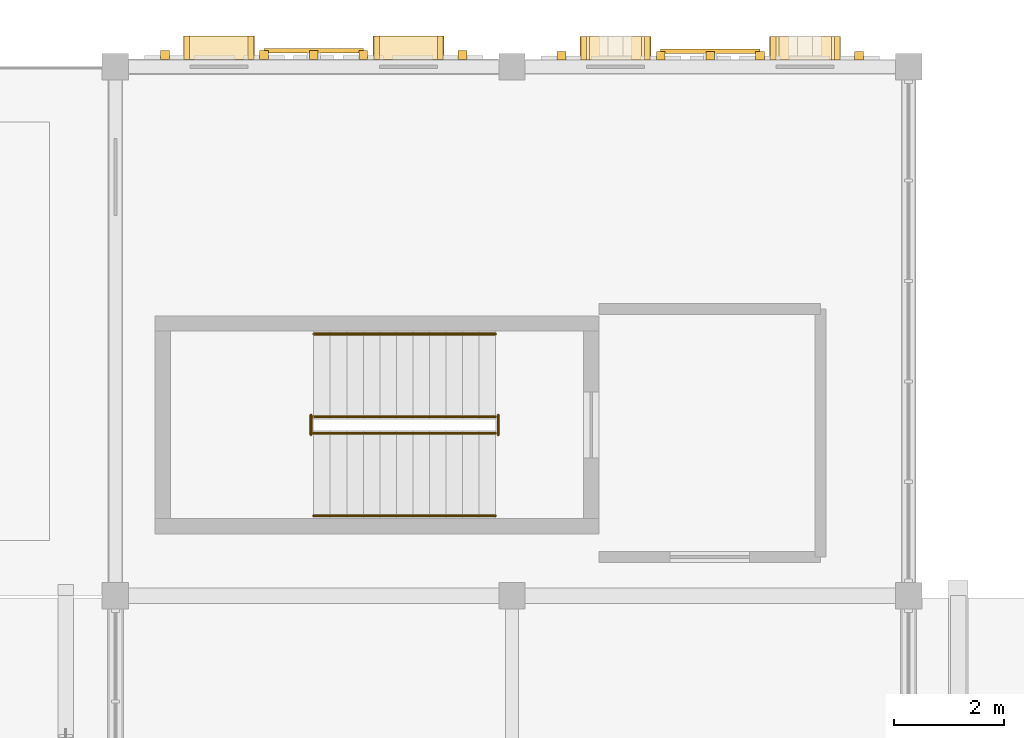
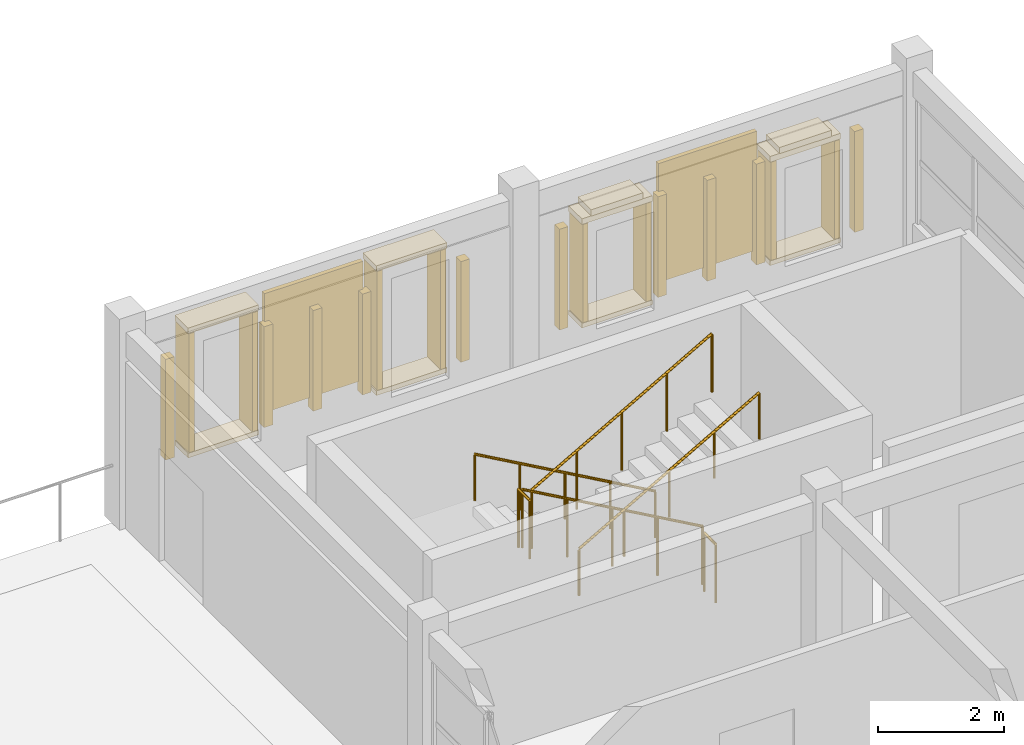
# One storey, part 70 of 79: 28 coverings, 6 railings, 2 shading devices.
"""IFC4 building model written with IfcOpenShell, lengths in metres."""

from ifc_helpers import new_model, si_unit, direction, frame, origin, origin_2d, place, context, subcontext, project, spatial, rectangle, circle, extrude, material, layer, layer_set, type_object, element, save


model = new_model("IFC4")

# Units and contexts
model_context = context("Model", 3, precision=1e-05, world=origin(), true_north=direction((0.0, 1.0)))
body_context = subcontext(model_context, "Body", "Model", "MODEL_VIEW")
ifc_project = project(units=[si_unit("LENGTHUNIT", "METRE"), si_unit("AREAUNIT", "SQUARE_METRE"), si_unit("VOLUMEUNIT", "CUBIC_METRE"), si_unit("PLANEANGLEUNIT", "RADIAN"), si_unit("MASSUNIT", "GRAM", prefix="KILO")], contexts=[model_context])

# Site, building, storey
site_placement = place(None, origin())
site = spatial("IfcSite", under=ifc_project, at=site_placement, CompositionType="ELEMENT")
building_placement = place(site_placement, origin())
building = spatial("IfcBuilding", under=site, at=building_placement, Name="Nzembalo Square Collegiate School", CompositionType="ELEMENT")
storey_placement = place(building_placement, frame((0.0, 0.0, 9.52001953125)))
storey = spatial("IfcBuildingStorey", under=building, at=storey_placement, Name="L02", CompositionType="ELEMENT", Elevation=9.52001953125)

# Coverings
ifc_material_1 = material(Name="Glazed ochre ceramic lancet rib")
ifc_layer_1 = layer(ifc_material_1, 0.159912109375, Name="Glazed ochre ceramic lancet rib")
ifc_layer_set_1 = layer_set([ifc_layer_1], Name="Glazed ochre ceramic lancet rib")
covering_type_1 = type_object("IfcCoveringType", Name="CL02", PredefinedType="CLADDING", material=ifc_layer_set_1)
for number, where, z_axis, x_axis, name in (
    (1, (77.699951171875, 114.21240234375, 0.759765625), (0.0, 0.0, 1.0), (1.0, 0.0, 0.0), "Gothic ceramic rib CL02-X0196-0"),
    (2, (79.5, 114.21240234375, 0.759765625), (0.0, 0.0, 1.0), (1.0, 0.0, 0.0), "Gothic ceramic rib CL02-X0196-2"),
    (3, (80.39990234375, 114.21240234375, 0.759765625), (0.0, 0.0, 1.0), (1.0, 0.0, 0.0), "Gothic ceramic rib CL02-X0196-3"),
    (4, (81.300048828125, 114.21240234375, 0.759765625), (0.0, 0.0, 1.0), (1.0, 0.0, 0.0), "Gothic ceramic rib CL02-X0196-4"),
    (5, (83.10009765625, 114.21240234375, 0.759765625), (0.0, 0.0, 1.0), (1.0, 0.0, 0.0), "Gothic ceramic rib CL02-X0196-6"),
    (6, (84.89990234375, 114.202392578125, 0.759765625), (0.0, 0.0, 1.0), (1.0, 0.0, 0.0), "Gothic ceramic rib CL02-X0197-0"),
    (7, (86.699951171875, 114.202392578125, 0.759765625), (0.0, 0.0, 1.0), (1.0, 0.0, 0.0), "Gothic ceramic rib CL02-X0197-2"),
    (8, (87.60009765625, 114.202392578125, 0.759765625), (0.0, 0.0, 1.0), (1.0, 0.0, 0.0), "Gothic ceramic rib CL02-X0197-3"),
    (9, (88.5, 114.202392578125, 0.759765625), (0.0, 0.0, 1.0), (1.0, 0.0, 0.0), "Gothic ceramic rib CL02-X0197-4"),
    (10, (90.300048828125, 114.202392578125, 0.759765625), (0.0, 0.0, 1.0), (1.0, 0.0, 0.0), "Gothic ceramic rib CL02-X0197-6"),
):
    element("IfcCovering", number, at=place(storey_placement, frame(where, z_axis=z_axis, x_axis=x_axis)), inside=storey, type_object=covering_type_1, Name=name, PredefinedType="CLADDING", context=body_context, shape_type="SweptSolid", body=[
        extrude(rectangle(XDim=0.159912109375, YDim=0.159912109375, at=origin_2d()), origin(), (0.0, 0.0, 1.0), 1.948974609375),
    ])
ifc_material_2 = material(Name="Glazed celadon ceramic window frame")
ifc_layer_2 = layer(ifc_material_2, 0.419921875, Name="Glazed celadon ceramic window frame")
ifc_layer_set_2 = layer_set([ifc_layer_2], Name="Glazed celadon ceramic window frame")
covering_type_2 = type_object("IfcCoveringType", Name="WF01", PredefinedType="CLADDING", material=ifc_layer_set_2)
covering_1_placement = place(storey_placement, frame((78.678466796875, 114.347412109375, 3.0546875), z_axis=(0.0, 0.0, 1.0), x_axis=(1.0, 0.0, 0.0)))
element("IfcCovering", 11, at=covering_1_placement, inside=storey, type_object=covering_type_2, Name="Deep lancet window hood WF01-0528", PredefinedType="CLADDING", context=body_context, shape_type="SweptSolid", body=[
    extrude(rectangle(XDim=1.2900390625, YDim=0.419921875, at=origin_2d()), origin(), (0.0, 0.0, 1.0), 0.110107421875),
])
covering_2_placement = place(storey_placement, frame((78.678466796875, 114.347412109375, 0.65478515625), z_axis=(0.0, 0.0, 1.0), x_axis=(1.0, 0.0, 0.0)))
element("IfcCovering", 12, at=covering_2_placement, inside=storey, type_object=covering_type_2, Name="Deep lancet window sill WF01-0528", PredefinedType="CLADDING", context=body_context, shape_type="SweptSolid", body=[
    extrude(rectangle(XDim=1.2900390625, YDim=0.419921875, at=origin_2d()), origin(), (0.0, 0.0, 1.0), 0.090087890625),
])
for number, where, z_axis, x_axis, name in (
    (13, (78.098388671875, 114.347412109375, 0.75), (0.0, 0.0, 1.0), (1.0, 0.0, 0.0), "Deep lancet window jamb WF01-0528L"),
    (14, (79.258544921875, 114.347412109375, 0.75), (0.0, 0.0, 1.0), (1.0, 0.0, 0.0), "Deep lancet window jamb WF01-0528R"),
):
    element("IfcCovering", number, at=place(storey_placement, frame(where, z_axis=z_axis, x_axis=x_axis)), inside=storey, type_object=covering_type_2, Name=name, PredefinedType="CLADDING", context=body_context, shape_type="SweptSolid", body=[
        extrude(rectangle(XDim=0.10009765625, YDim=0.419921875, at=origin_2d()), origin(), (0.0, 0.0, 1.0), 2.300048828125),
    ])
covering_3_placement = place(storey_placement, frame((82.12158203125, 114.347412109375, 3.0546875), z_axis=(0.0, 0.0, 1.0), x_axis=(1.0, 0.0, 0.0)))
element("IfcCovering", 15, at=covering_3_placement, inside=storey, type_object=covering_type_2, Name="Deep lancet window hood WF01-0529", PredefinedType="CLADDING", context=body_context, shape_type="SweptSolid", body=[
    extrude(rectangle(XDim=1.2900390625, YDim=0.419921875, at=origin_2d()), origin(), (0.0, 0.0, 1.0), 0.110107421875),
])
covering_4_placement = place(storey_placement, frame((82.12158203125, 114.347412109375, 0.65478515625), z_axis=(0.0, 0.0, 1.0), x_axis=(1.0, 0.0, 0.0)))
element("IfcCovering", 16, at=covering_4_placement, inside=storey, type_object=covering_type_2, Name="Deep lancet window sill WF01-0529", PredefinedType="CLADDING", context=body_context, shape_type="SweptSolid", body=[
    extrude(rectangle(XDim=1.2900390625, YDim=0.419921875, at=origin_2d()), origin(), (0.0, 0.0, 1.0), 0.090087890625),
])
for number, where, z_axis, x_axis, name in (
    (17, (81.54150390625, 114.347412109375, 0.75), (0.0, 0.0, 1.0), (1.0, 0.0, 0.0), "Deep lancet window jamb WF01-0529L"),
    (18, (82.701416015625, 114.347412109375, 0.75), (0.0, 0.0, 1.0), (1.0, 0.0, 0.0), "Deep lancet window jamb WF01-0529R"),
):
    element("IfcCovering", number, at=place(storey_placement, frame(where, z_axis=z_axis, x_axis=x_axis)), inside=storey, type_object=covering_type_2, Name=name, PredefinedType="CLADDING", context=body_context, shape_type="SweptSolid", body=[
        extrude(rectangle(XDim=0.10009765625, YDim=0.419921875, at=origin_2d()), origin(), (0.0, 0.0, 1.0), 2.300048828125),
    ])
covering_5_placement = place(storey_placement, frame((85.87841796875, 114.33740234375, 2.65478515625), z_axis=(0.0, 0.0, 1.0), x_axis=(1.0, 0.0, 0.0)))
element("IfcCovering", 19, at=covering_5_placement, inside=storey, type_object=covering_type_2, Name="Deep lancet window hood WF01-0530", PredefinedType="CLADDING", context=body_context, shape_type="SweptSolid", body=[
    extrude(rectangle(XDim=1.2900390625, YDim=0.419921875, at=origin_2d()), origin(), (0.0, 0.0, 1.0), 0.110107421875),
])
covering_6_placement = place(storey_placement, frame((85.87841796875, 114.33740234375, 2.760009765625), z_axis=(0.0, 0.0, 1.0), x_axis=(1.0, 0.0, 0.0)))
element("IfcCovering", 20, at=covering_6_placement, inside=storey, type_object=covering_type_2, Name="Pointed lancet gable WF01-0530-1", PredefinedType="CLADDING", context=body_context, shape_type="SweptSolid", body=[
    extrude(rectangle(XDim=0.949951171875, YDim=0.419921875, at=origin_2d()), origin(), (0.0, 0.0, 1.0), 0.1201171875),
])
covering_7_placement = place(storey_placement, frame((85.87841796875, 114.33740234375, 0.65478515625), z_axis=(0.0, 0.0, 1.0), x_axis=(1.0, 0.0, 0.0)))
element("IfcCovering", 21, at=covering_7_placement, inside=storey, type_object=covering_type_2, Name="Deep lancet window sill WF01-0530", PredefinedType="CLADDING", context=body_context, shape_type="SweptSolid", body=[
    extrude(rectangle(XDim=1.2900390625, YDim=0.419921875, at=origin_2d()), origin(), (0.0, 0.0, 1.0), 0.090087890625),
])
for number, where, z_axis, x_axis, name in (
    (22, (85.298583984375, 114.33740234375, 0.75), (0.0, 0.0, 1.0), (1.0, 0.0, 0.0), "Deep lancet window jamb WF01-0530L"),
    (23, (86.45849609375, 114.33740234375, 0.75), (0.0, 0.0, 1.0), (1.0, 0.0, 0.0), "Deep lancet window jamb WF01-0530R"),
):
    element("IfcCovering", number, at=place(storey_placement, frame(where, z_axis=z_axis, x_axis=x_axis)), inside=storey, type_object=covering_type_2, Name=name, PredefinedType="CLADDING", context=body_context, shape_type="SweptSolid", body=[
        extrude(rectangle(XDim=0.10009765625, YDim=0.419921875, at=origin_2d()), origin(), (0.0, 0.0, 1.0), 1.89990234375),
    ])
covering_8_placement = place(storey_placement, frame((89.321533203125, 114.33740234375, 2.65478515625), z_axis=(0.0, 0.0, 1.0), x_axis=(1.0, 0.0, 0.0)))
element("IfcCovering", 24, at=covering_8_placement, inside=storey, type_object=covering_type_2, Name="Deep lancet window hood WF01-0531", PredefinedType="CLADDING", context=body_context, shape_type="SweptSolid", body=[
    extrude(rectangle(XDim=1.2900390625, YDim=0.419921875, at=origin_2d()), origin(), (0.0, 0.0, 1.0), 0.110107421875),
])
covering_9_placement = place(storey_placement, frame((89.321533203125, 114.33740234375, 2.760009765625), z_axis=(0.0, 0.0, 1.0), x_axis=(1.0, 0.0, 0.0)))
element("IfcCovering", 25, at=covering_9_placement, inside=storey, type_object=covering_type_2, Name="Pointed lancet gable WF01-0531-1", PredefinedType="CLADDING", context=body_context, shape_type="SweptSolid", body=[
    extrude(rectangle(XDim=0.949951171875, YDim=0.419921875, at=origin_2d()), origin(), (0.0, 0.0, 1.0), 0.1201171875),
])
covering_10_placement = place(storey_placement, frame((89.321533203125, 114.33740234375, 0.65478515625), z_axis=(0.0, 0.0, 1.0), x_axis=(1.0, 0.0, 0.0)))
element("IfcCovering", 26, at=covering_10_placement, inside=storey, type_object=covering_type_2, Name="Deep lancet window sill WF01-0531", PredefinedType="CLADDING", context=body_context, shape_type="SweptSolid", body=[
    extrude(rectangle(XDim=1.2900390625, YDim=0.419921875, at=origin_2d()), origin(), (0.0, 0.0, 1.0), 0.090087890625),
])
for number, where, z_axis, x_axis, name in (
    (27, (88.741455078125, 114.33740234375, 0.75), (0.0, 0.0, 1.0), (1.0, 0.0, 0.0), "Deep lancet window jamb WF01-0531L"),
    (28, (89.901611328125, 114.33740234375, 0.75), (0.0, 0.0, 1.0), (1.0, 0.0, 0.0), "Deep lancet window jamb WF01-0531R"),
):
    element("IfcCovering", number, at=place(storey_placement, frame(where, z_axis=z_axis, x_axis=x_axis)), inside=storey, type_object=covering_type_2, Name=name, PredefinedType="CLADDING", context=body_context, shape_type="SweptSolid", body=[
        extrude(rectangle(XDim=0.10009765625, YDim=0.419921875, at=origin_2d()), origin(), (0.0, 0.0, 1.0), 1.89990234375),
    ])

# Railings
ifc_material_3 = material(Name="Steel S355", Category="steel")
railing_type_1 = type_object("IfcRailingType", Name="GR01", PredefinedType="GUARDRAIL", material=ifc_material_3)
railing_1_placement = place(storey_placement, frame((83.699951171875, 107.64990234375, 0.159912109375)))
element("IfcRailing", 29, at=railing_1_placement, inside=storey, type_object=railing_type_1, Name="Stair guard GR-12-1", PredefinedType="GUARDRAIL", context=body_context, shape_type="SweptSolid", body=[
    extrude(circle(Radius=0.02392578125, at=origin_2d()), frame((0.0, 0.0, 1.1259765625), z_axis=(-0.870012062771, 0.0, 0.493030435808), x_axis=(0.0, -1.0, 0.0)), (0.0, 0.0, 1.0), 3.793212890625),
    extrude(circle(Radius=0.02099609375, at=origin_2d()), origin(), (0.0, 0.0, 1.0), 1.101806640625),
    extrude(circle(Radius=0.02099609375, at=origin_2d()), frame((-0.824951171875, 0.0, 0.467529296875)), (0.0, 0.0, 1.0), 1.101806640625),
    extrude(circle(Radius=0.02099609375, at=origin_2d()), frame((-1.64990234375, 0.0, 0.93505859375)), (0.0, 0.0, 1.0), 1.101806640625),
    extrude(circle(Radius=0.02099609375, at=origin_2d()), frame((-2.47509765625, 0.0, 1.402587890625)), (0.0, 0.0, 1.0), 1.101806640625),
    extrude(circle(Radius=0.02099609375, at=origin_2d()), frame((-3.300048828125, 0.0, 1.8701171875)), (0.0, 0.0, 1.0), 1.101806640625),
])
railing_2_placement = place(storey_placement, frame((80.35009765625, 107.320068359375, 2.034912109375)))
element("IfcRailing", 30, at=railing_2_placement, inside=storey, type_object=railing_type_1, Name="Stair guard GR-12-2", PredefinedType="GUARDRAIL", context=body_context, shape_type="SweptSolid", body=[
    extrude(circle(Radius=0.02392578125, at=origin_2d()), frame((0.0, 0.0, 1.1259765625), z_axis=(0.0, 1.0, 0.0), x_axis=(-1.0, 0.0, 0.0)), (0.0, 0.0, 1.0), 0.35986328125),
    extrude(circle(Radius=0.02099609375, at=origin_2d()), origin(), (0.0, 0.0, 1.0), 1.101806640625),
    extrude(circle(Radius=0.02099609375, at=origin_2d()), frame((0.0, 0.35986328125, 0.0)), (0.0, 0.0, 1.0), 1.101806640625),
])
railing_3_placement = place(storey_placement, frame((80.39990234375, 107.35009765625, 2.199951171875)))
element("IfcRailing", 31, at=railing_3_placement, inside=storey, type_object=railing_type_1, Name="Stair guard GR-12-3", PredefinedType="GUARDRAIL", context=body_context, shape_type="SweptSolid", body=[
    extrude(circle(Radius=0.02392578125, at=origin_2d()), frame((0.0, 0.0, 1.1259765625), z_axis=(0.870012062771, 0.0, 0.493030435808), x_axis=(0.0, 1.0, 0.0)), (0.0, 0.0, 1.0), 3.793212890625),
    extrude(circle(Radius=0.02099609375, at=origin_2d()), origin(), (0.0, 0.0, 1.0), 1.101806640625),
    extrude(circle(Radius=0.02099609375, at=origin_2d()), frame((0.824951171875, 0.0, 0.467529296875)), (0.0, 0.0, 1.0), 1.101806640625),
    extrude(circle(Radius=0.02099609375, at=origin_2d()), frame((1.64990234375, 0.0, 0.93505859375)), (0.0, 0.0, 1.0), 1.101806640625),
    extrude(circle(Radius=0.02099609375, at=origin_2d()), frame((2.47509765625, 0.0, 1.402587890625)), (0.0, 0.0, 1.0), 1.101806640625),
    extrude(circle(Radius=0.02099609375, at=origin_2d()), frame((3.300048828125, 0.0, 1.8701171875)), (0.0, 0.0, 1.0), 1.101806640625),
])
railing_4_placement = place(storey_placement, frame((83.75, 107.320068359375, -0.005126953125)))
element("IfcRailing", 32, at=railing_4_placement, inside=storey, type_object=railing_type_1, Name="Stair guard GR-12-4", PredefinedType="GUARDRAIL", context=body_context, shape_type="SweptSolid", body=[
    extrude(circle(Radius=0.02392578125, at=origin_2d()), frame((0.0, 0.0, 1.1259765625), z_axis=(0.0, 1.0, 0.0), x_axis=(-1.0, 0.0, 0.0)), (0.0, 0.0, 1.0), 0.35986328125),
    extrude(circle(Radius=0.02099609375, at=origin_2d()), origin(), (0.0, 0.0, 1.0), 1.101806640625),
    extrude(circle(Radius=0.02099609375, at=origin_2d()), frame((0.0, 0.35986328125, 0.0)), (0.0, 0.0, 1.0), 1.101806640625),
])
ifc_material_4 = material(Name="Steel S355", Category="steel")
railing_type_2 = type_object("IfcRailingType", Name="HR01", PredefinedType="HANDRAIL", material=ifc_material_4)
railing_5_placement = place(storey_placement, frame((83.699951171875, 109.14990234375, 0.159912109375)))
element("IfcRailing", 33, at=railing_5_placement, inside=storey, type_object=railing_type_2, Name="Stair handrail HR-12-1", PredefinedType="HANDRAIL", context=body_context, shape_type="SweptSolid", body=[
    extrude(circle(Radius=0.02392578125, at=origin_2d()), frame((0.0, 0.0, 0.89599609375), z_axis=(-0.870012062771, 0.0, 0.493030435808), x_axis=(0.0, -1.0, 0.0)), (0.0, 0.0, 1.0), 3.793212890625),
    extrude(circle(Radius=0.02099609375, at=origin_2d()), origin(), (0.0, 0.0, 1.0), 0.871826171875),
    extrude(circle(Radius=0.02099609375, at=origin_2d()), frame((-0.824951171875, 0.0, 0.467529296875)), (0.0, 0.0, 1.0), 0.871826171875),
    extrude(circle(Radius=0.02099609375, at=origin_2d()), frame((-1.64990234375, 0.0, 0.93505859375)), (0.0, 0.0, 1.0), 0.871826171875),
    extrude(circle(Radius=0.02099609375, at=origin_2d()), frame((-2.47509765625, 0.0, 1.402587890625)), (0.0, 0.0, 1.0), 0.871826171875),
    extrude(circle(Radius=0.02099609375, at=origin_2d()), frame((-3.300048828125, 0.0, 1.8701171875)), (0.0, 0.0, 1.0), 0.871826171875),
])
railing_6_placement = place(storey_placement, frame((80.39990234375, 105.85009765625, 2.199951171875)))
element("IfcRailing", 34, at=railing_6_placement, inside=storey, type_object=railing_type_2, Name="Stair handrail HR-12-2", PredefinedType="HANDRAIL", context=body_context, shape_type="SweptSolid", body=[
    extrude(circle(Radius=0.02392578125, at=origin_2d()), frame((0.0, 0.0, 0.89599609375), z_axis=(0.870012062771, 0.0, 0.493030435808), x_axis=(0.0, 1.0, 0.0)), (0.0, 0.0, 1.0), 3.793212890625),
    extrude(circle(Radius=0.02099609375, at=origin_2d()), origin(), (0.0, 0.0, 1.0), 0.871826171875),
    extrude(circle(Radius=0.02099609375, at=origin_2d()), frame((0.824951171875, 0.0, 0.467529296875)), (0.0, 0.0, 1.0), 0.871826171875),
    extrude(circle(Radius=0.02099609375, at=origin_2d()), frame((1.64990234375, 0.0, 0.93505859375)), (0.0, 0.0, 1.0), 0.871826171875),
    extrude(circle(Radius=0.02099609375, at=origin_2d()), frame((2.47509765625, 0.0, 1.402587890625)), (0.0, 0.0, 1.0), 0.871826171875),
    extrude(circle(Radius=0.02099609375, at=origin_2d()), frame((3.300048828125, 0.0, 1.8701171875)), (0.0, 0.0, 1.0), 0.871826171875),
])

# Shading devices
ifc_material_5 = material(Name="Glazed cobalt ceramic lancet screen")
ifc_layer_3 = layer(ifc_material_5, 0.080078125, Name="Glazed cobalt ceramic lancet screen")
ifc_layer_set_3 = layer_set([ifc_layer_3], Name="Glazed cobalt ceramic lancet screen")
shading_device_type_1 = type_object("IfcShadingDeviceType", Name="SC01", PredefinedType="USERDEFINED", material=ifc_layer_set_3)
shading_device_1_placement = place(storey_placement, frame((80.39990234375, 114.29248046875, 0.94970703125), z_axis=(0.0, 0.0, 1.0), x_axis=(1.0, 0.0, 0.0)))
element("IfcShadingDevice", 35, at=shading_device_1_placement, inside=storey, type_object=shading_device_type_1, Name="Ceramic lancet screen SC01-013", ObjectType="SCREEN", PredefinedType="USERDEFINED", context=body_context, shape_type="SweptSolid", body=[
    extrude(rectangle(XDim=1.800048828125, YDim=0.080078125, at=origin_2d()), origin(), (0.0, 0.0, 1.0), 2.299072265625),
])
ifc_material_6 = material(Name="Glazed celadon ceramic lancet screen")
ifc_layer_4 = layer(ifc_material_6, 0.080078125, Name="Glazed celadon ceramic lancet screen")
ifc_layer_set_4 = layer_set([ifc_layer_4], Name="Glazed celadon ceramic lancet screen")
shading_device_type_2 = type_object("IfcShadingDeviceType", Name="SC02", PredefinedType="USERDEFINED", material=ifc_layer_set_4)
shading_device_2_placement = place(storey_placement, frame((87.60009765625, 114.282470703125, 0.94970703125), z_axis=(0.0, 0.0, 1.0), x_axis=(1.0, 0.0, 0.0)))
element("IfcShadingDevice", 36, at=shading_device_2_placement, inside=storey, type_object=shading_device_type_2, Name="Ceramic lancet screen SC02-014", ObjectType="SCREEN", PredefinedType="USERDEFINED", context=body_context, shape_type="SweptSolid", body=[
    extrude(rectangle(XDim=1.800048828125, YDim=0.080078125, at=origin_2d()), origin(), (0.0, 0.0, 1.0), 2.299072265625),
])

save(model, "model.ifc")
